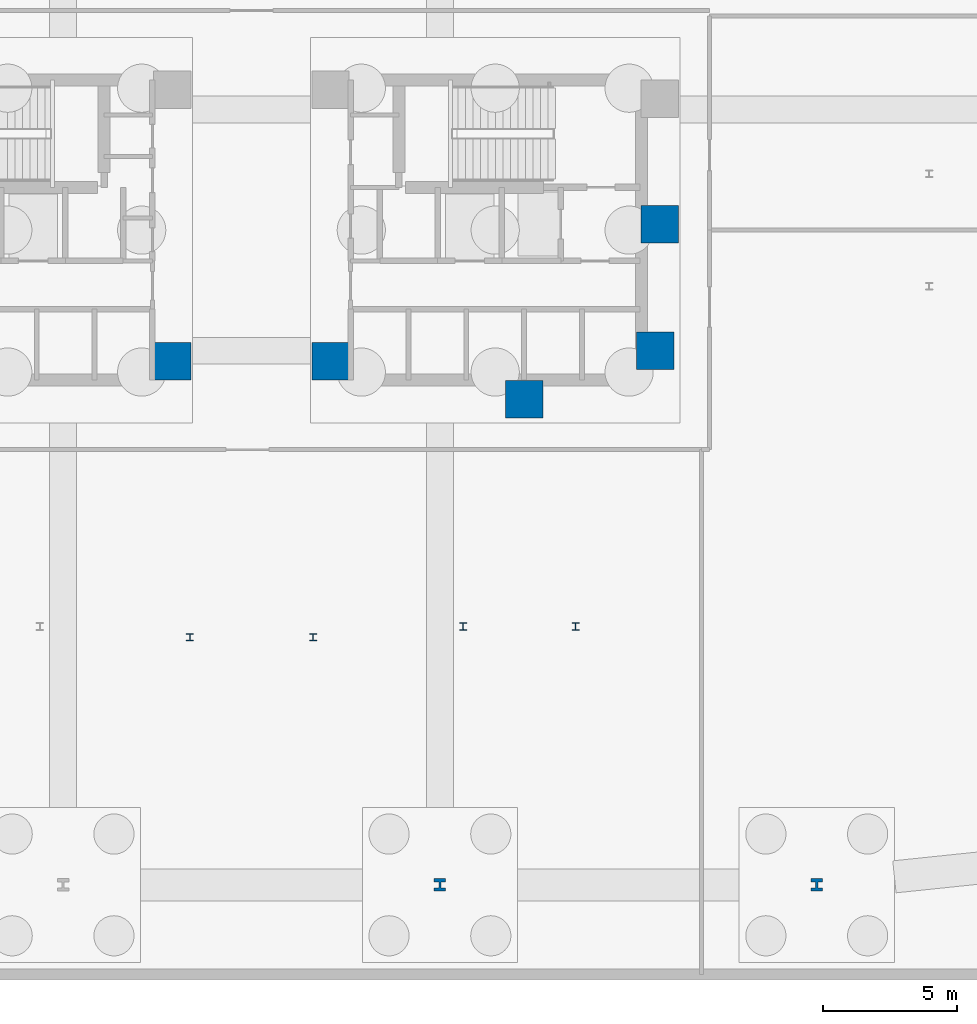
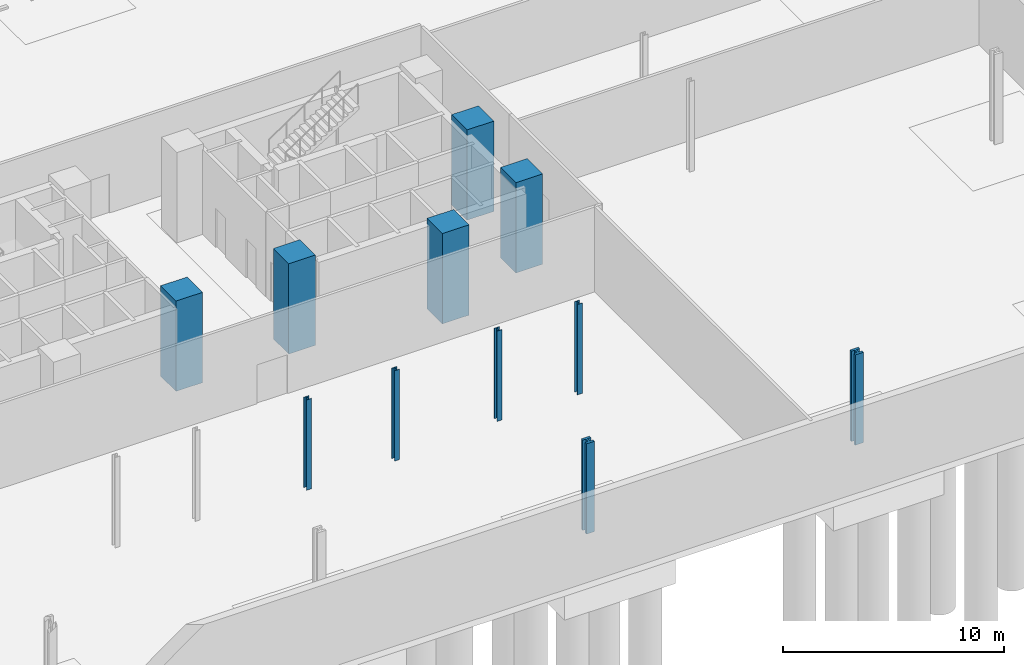
# One storey, part 3 of 16: 11 columns.
"""IFC4 building model written with IfcOpenShell, lengths in metres."""

import ifcopenshell
import ifcopenshell.guid

model = None  # the IFC model being written
_history = None  # IfcOwnerHistory: only IFC2X3 demands one
_inside = {}  # id of a spatial element -> (the spatial element, [elements in it])
_under = {}  # id of a project, library or spatial element -> (it, [spatial elements below it])
_declared = {}  # id of a project -> (the project, [libraries it declares])
_typed = {}  # id of a type object -> (the type object, [elements of that type])
_made_of = {}  # id of a material, layer set ... -> (it, [elements and type objects made of it])


def new_model(schema):
    """Start an empty IFC model of exactly this schema.

    Asked for "IFC4X3", IfcOpenShell would pick the latest addendum, in which some entities
    have other attributes; the version numbers below select the first issue.
    IFC2X3 requires an IfcOwnerHistory on every rooted entity: one is made here for all.
    """
    global model, _history
    if schema == "IFC4X3":
        model = ifcopenshell.file(schema_version=(4, 3, 0, 0))
    else:
        model = ifcopenshell.file(schema=schema)
    _inside.clear()
    _under.clear()
    _declared.clear()
    _typed.clear()
    _made_of.clear()
    _history = None
    if model.schema == "IFC2X3":
        org = make("IfcOrganization", Name="unknown")
        user = make(
            "IfcPersonAndOrganization",
            ThePerson=make("IfcPerson", FamilyName="unknown"),
            TheOrganization=org,
        )
        app = make(
            "IfcApplication",
            ApplicationDeveloper=org,
            Version="unknown",
            ApplicationFullName="unknown",
            ApplicationIdentifier="unknown",
        )
        _history = make(
            "IfcOwnerHistory",
            OwningUser=user,
            OwningApplication=app,
            ChangeAction="ADDED",
            CreationDate=0,
        )
    return model


def make(cls, **values):
    """One entity of the class cls with the attributes given. An attribute that is None is left unset."""
    return model.create_entity(
        cls, **{name: value for name, value in values.items() if value is not None}
    )


def rooted(cls, **values):
    """An entity with a GlobalId (a new one), such as an element, a storey or a relation."""
    return make(cls, GlobalId=ifcopenshell.guid.new(), OwnerHistory=_history, **values)


def si_unit(unit_type, name, prefix=None):
    """IfcSIUnit, for example si_unit("LENGTHUNIT", "METRE", prefix="MILLI")."""
    return make("IfcSIUnit", UnitType=unit_type, Prefix=prefix, Name=name)


def assignment(units):
    """IfcUnitAssignment: the units of a project."""
    return None if units is None else make("IfcUnitAssignment", Units=units)


def point(xyz):
    """IfcCartesianPoint."""
    return None if xyz is None else make("IfcCartesianPoint", Coordinates=xyz)


def direction(xyz):
    """IfcDirection."""
    return None if xyz is None else make("IfcDirection", DirectionRatios=xyz)


def frame(location, z_axis=None, x_axis=None):
    """IfcAxis2Placement3D, a coordinate frame: its origin and axes. An axis left out is left unset."""
    return make(
        "IfcAxis2Placement3D",
        Location=point(location),
        Axis=direction(z_axis),
        RefDirection=direction(x_axis),
    )


def frame_2d(location, x_axis=None):
    """IfcAxis2Placement2D, a coordinate frame in the plane: its origin and x axis."""
    return make(
        "IfcAxis2Placement2D", Location=point(location), RefDirection=direction(x_axis)
    )


def origin():
    """The frame at (0, 0, 0) with its axes left unset."""
    return frame((0.0, 0.0, 0.0))


def origin_2d():
    """The frame at (0, 0) in the plane with its x axis left unset."""
    return frame_2d((0.0, 0.0))


def place(relative_to, where):
    """IfcLocalPlacement: puts the frame where relative to a parent placement (None: the world)."""
    return make(
        "IfcLocalPlacement", PlacementRelTo=relative_to, RelativePlacement=where
    )


def context(
    kind, dimensions, precision=None, world=None, true_north=None, identifier=None
):
    """IfcGeometricRepresentationContext, for example the 3D "Model" context."""
    return make(
        "IfcGeometricRepresentationContext",
        ContextIdentifier=identifier,
        ContextType=kind,
        CoordinateSpaceDimension=dimensions,
        Precision=precision,
        WorldCoordinateSystem=world,
        TrueNorth=true_north,
    )


def subcontext(parent, identifier, kind, view, scale=None):
    """IfcGeometricRepresentationSubContext, for example "Body" below "Model"."""
    return make(
        "IfcGeometricRepresentationSubContext",
        ContextIdentifier=identifier,
        ContextType=kind,
        ParentContext=parent,
        TargetScale=scale,
        TargetView=view,
    )


def project(units=None, contexts=None):
    """IfcProject with its units and contexts."""
    return rooted(
        "IfcProject",
        Name="project",
        RepresentationContexts=contexts,
        UnitsInContext=assignment(units),
    )


def spatial(cls, under=None, at=None, **own):
    """A site, building, storey or space (cls), placed at a placement, below another one or the project."""
    s = rooted(cls, ObjectPlacement=at, **own)
    if under is not None:
        _under.setdefault(under.id(), (under, []))[1].append(s)
    return s


def profile(cls, at=None, kind="AREA", **sizes):
    """A parametric profile (cls). Its sizes go by their IFC names, for example OverallWidth=200.0."""
    return make(cls, ProfileType=kind, Position=at, **sizes)


def rectangle(**sizes):
    """IfcRectangleProfileDef."""
    return profile("IfcRectangleProfileDef", **sizes)


def i_section(**sizes):
    """IfcIShapeProfileDef."""
    return profile("IfcIShapeProfileDef", **sizes)


def extrude(swept, where, along, depth):
    """IfcExtrudedAreaSolid: the profile swept, set in the frame where, extruded along a direction by depth."""
    return make(
        "IfcExtrudedAreaSolid",
        SweptArea=swept,
        Position=where,
        ExtrudedDirection=direction(along),
        Depth=depth,
    )


def shape(context_of_items, identifier, shape_type, items):
    """IfcShapeRepresentation: the items that make up one representation, for example the "Body"."""
    return make(
        "IfcShapeRepresentation",
        ContextOfItems=context_of_items,
        RepresentationIdentifier=identifier,
        RepresentationType=shape_type,
        Items=items,
    )


def material(Name=None, Category=None):
    """IfcMaterial."""
    return make("IfcMaterial", Name=Name, Category=Category)


def material_profile(
    of_material, cross_section, Name=None, Category=None, Priority=None
):
    """IfcMaterialProfile: a cross section and its material."""
    return make(
        "IfcMaterialProfile",
        Name=Name,
        Material=of_material,
        Profile=cross_section,
        Priority=Priority,
        Category=Category,
    )


def profile_set(profiles, Name=None, composite=None):
    """IfcMaterialProfileSet."""
    return make(
        "IfcMaterialProfileSet",
        Name=Name,
        MaterialProfiles=profiles,
        CompositeProfile=composite,
    )


def made_of(thing, what):
    """Note that an element or type object is made of a material, layer set ...; save() writes the relation."""
    if what is not None:
        _made_of.setdefault(what.id(), (what, []))[1].append(thing)
    return thing


def type_object(cls, material=None, **own):
    """A type object (cls), such as IfcWallType, which elements share."""
    return made_of(rooted(cls, **own), material)


def element(
    cls,
    number,
    at=None,
    inside=None,
    cuts=None,
    type_object=None,
    material=None,
    context=None,
    identifier="Body",
    shape_type=None,
    held_by="IfcProductDefinitionShape",
    body=None,
    shapes=None,
    **own,
):
    """One element of the class cls, such as IfcWall. Its Tag is "e" and its number.

    at: its placement. inside: the storey or other place that contains it. cuts: it is an
    opening in that element (IfcRelVoidsElement). A single representation is given by context,
    identifier, shape_type and body (its items); several are given by shapes. held_by: the class
    of the entity that holds the representations. save() writes the other relations.
    """
    e = rooted(cls, Tag="e%d" % number, ObjectPlacement=at, **own)
    if body is not None:
        shapes = [shape(context, identifier, shape_type, body)]
    if shapes is not None:
        e.Representation = make(held_by, Representations=shapes)
    if inside is not None:
        _inside.setdefault(inside.id(), (inside, []))[1].append(e)
    if cuts is not None:
        rooted(
            "IfcRelVoidsElement", RelatingBuildingElement=cuts, RelatedOpeningElement=e
        )
    if type_object is not None:
        _typed.setdefault(type_object.id(), (type_object, []))[1].append(e)
    return made_of(e, material)


def aggregate(whole, parts):
    """IfcRelAggregates: a whole, such as a stair, and the parts it consists of."""
    return rooted("IfcRelAggregates", RelatingObject=whole, RelatedObjects=parts)


def save(model, path):
    """Write the relations noted so far, then the file.

    IfcRelAggregates (storeys below a building ...), IfcRelContainedInSpatialStructure (elements
    in a storey), IfcRelDefinesByType, IfcRelAssociatesMaterial and IfcRelDeclares: one each for
    every whole, place, type object, material and project.
    """
    for whole, parts in _under.values():
        aggregate(whole, parts)
    for where, things in _inside.values():
        rooted(
            "IfcRelContainedInSpatialStructure",
            RelatedElements=things,
            RelatingStructure=where,
        )
    for kind, things in _typed.values():
        rooted("IfcRelDefinesByType", RelatedObjects=things, RelatingType=kind)
    for what, things in _made_of.values():
        rooted("IfcRelAssociatesMaterial", RelatedObjects=things, RelatingMaterial=what)
    for by, libraries in _declared.values():
        rooted("IfcRelDeclares", RelatingContext=by, RelatedDefinitions=libraries)
    model.write(path)


model = new_model("IFC4")

# Units and contexts
model_context = context("Model", 3, precision=1e-05, world=origin(), true_north=direction((0.0, 1.0)))
body_context = subcontext(model_context, "Body", "Model", "MODEL_VIEW")
ifc_project = project(units=[si_unit("LENGTHUNIT", "METRE"), si_unit("AREAUNIT", "SQUARE_METRE"), si_unit("VOLUMEUNIT", "CUBIC_METRE"), si_unit("PLANEANGLEUNIT", "RADIAN"), si_unit("MASSUNIT", "GRAM", prefix="KILO")], contexts=[model_context])

# Site, building, storey
site_placement = place(None, origin())
site = spatial("IfcSite", under=ifc_project, at=site_placement, CompositionType="ELEMENT")
building_placement = place(site_placement, origin())
building = spatial("IfcBuilding", under=site, at=building_placement, Name="Menara Jurai Vektor", CompositionType="ELEMENT")
storey_placement = place(building_placement, frame((0.0, 0.0, -5.0)))
storey = spatial("IfcBuildingStorey", under=building, at=storey_placement, Name="B1", CompositionType="ELEMENT", Elevation=-5.0)

# Columns
ifc_material_1 = material(Name="Steel S355", Category="steel")
ifc_material_profile_1 = material_profile(ifc_material_1, i_section(OverallWidth=0.259033203125, OverallDepth=0.26708984375, WebThickness=0.012939453125, FlangeThickness=0.02099609375, FilletRadius=0.012939453125, at=origin_2d()), Name="UKC 254x254x107")
ifc_profile_set_1 = profile_set([ifc_material_profile_1], Name="Steel S355")
column_type_1 = type_object("IfcColumnType", Name="STR-COL-CANOPY", PredefinedType="COLUMN", material=ifc_profile_set_1)
for number, where, z_axis, x_axis, name in (
    (1, (-2.300048828125, -15.199951171875, 0.0), (0.0, 0.0, 1.0), (1.0, 0.0, 0.0), "Canopy Support Sub-Column E2-1 B1"),
    (2, (2.300048828125, -15.199951171875, 0.0), (0.0, 0.0, 1.0), (1.0, 0.0, 0.0), "Canopy Support Sub-Column E2-2 B1"),
    (3, (7.89990234375, -14.800048828125, 0.0), (0.0, 0.0, 1.0), (1.0, 0.0, 0.0), "Canopy Support Sub-Column E3-1 B1"),
    (4, (12.10009765625, -14.800048828125, 0.0), (0.0, 0.0, 1.0), (1.0, 0.0, 0.0), "Canopy Support Sub-Column E3-2 B1"),
):
    element("IfcColumn", number, at=place(storey_placement, frame(where, z_axis=z_axis, x_axis=x_axis)), inside=storey, type_object=column_type_1, Name=name, PredefinedType="COLUMN", context=body_context, shape_type="SweptSolid", body=[
        extrude(i_section(OverallWidth=0.259033203125, OverallDepth=0.26708984375, WebThickness=0.012939453125, FlangeThickness=0.02099609375, FilletRadius=0.012939453125, at=origin_2d()), origin(), (0.0, 0.0, 1.0), 5.0),
    ])
ifc_material_2 = material(Name="Concrete C60/75", Category="concrete")
ifc_material_profile_2 = material_profile(ifc_material_2, rectangle(XDim=1.39990234375, YDim=1.39990234375, at=origin_2d()), Name="RC 1400x1400")
ifc_profile_set_2 = profile_set([ifc_material_profile_2], Name="Concrete C60/75")
column_type_2 = type_object("IfcColumnType", Name="STR-COL-RC1400", PredefinedType="COLUMN", material=ifc_profile_set_2)
for number, where, z_axis, x_axis, name in (
    (5, (-2.949951171875, -4.89990234375, 0.0), (0.0, 0.0, 1.0), (1.0, 0.0, 0.0), "Core Spine Column CW-SE B1"),
    (6, (15.25, 0.219970703125, 0.0), (0.0, 0.0, 1.0), (1.0, 0.0, 0.0), "Core Spine Column CE-EM B1"),
    (7, (15.080078125, -4.5, 0.0), (0.0, 0.0, 1.0), (1.0, 0.0, 0.0), "Core Spine Column CE-SE B1"),
    (8, (10.179931640625, -6.320068359375, 0.0), (0.0, 0.0, 1.0), (1.0, 0.0, 0.0), "Core Spine Column CE-SM B1"),
    (9, (2.949951171875, -4.89990234375, 0.0), (0.0, 0.0, 1.0), (1.0, 0.0, 0.0), "Core Spine Column CE-SW B1"),
):
    element("IfcColumn", number, at=place(storey_placement, frame(where, z_axis=z_axis, x_axis=x_axis)), inside=storey, type_object=column_type_2, Name=name, PredefinedType="COLUMN", context=body_context, shape_type="SweptSolid", body=[
        extrude(rectangle(XDim=1.39990234375, YDim=1.39990234375, at=origin_2d()), origin(), (0.0, 0.0, 1.0), 5.0),
    ])
ifc_material_3 = material(Name="Steel S460", Category="steel")
ifc_material_profile_3 = material_profile(ifc_material_3, i_section(OverallWidth=0.427978515625, OverallDepth=0.468994140625, WebThickness=0.077880859375, FlangeThickness=0.125, FilletRadius=0.014892578125, at=origin_2d()), Name="HD 400x1086")
ifc_profile_set_3 = profile_set([ifc_material_profile_3], Name="Steel S460")
column_type_3 = type_object("IfcColumnType", Name="STR-PILOTIS-HD1086", PredefinedType="USERDEFINED", material=ifc_profile_set_3)
for number, where, z_axis, x_axis, name in (
    (10, (7.03564453125, -24.449951171875, 0.0), (0.0, 0.0, 1.0), (1.0, 0.0, 0.0), "Open Pilotis Stilt Column PLT-S4 B1"),
    (11, (21.106689453125, -24.449951171875, 0.0), (0.0, 0.0, 1.0), (1.0, 0.0, 0.0), "Open Pilotis Stilt Column PLT-S5 B1"),
):
    element("IfcColumn", number, at=place(storey_placement, frame(where, z_axis=z_axis, x_axis=x_axis)), inside=storey, type_object=column_type_3, Name=name, ObjectType="PILOTIS", PredefinedType="USERDEFINED", context=body_context, shape_type="SweptSolid", body=[
        extrude(i_section(OverallWidth=0.427978515625, OverallDepth=0.468994140625, WebThickness=0.077880859375, FlangeThickness=0.125, FilletRadius=0.014892578125, at=origin_2d()), origin(), (0.0, 0.0, 1.0), 5.0),
    ])

save(model, "model.ifc")
